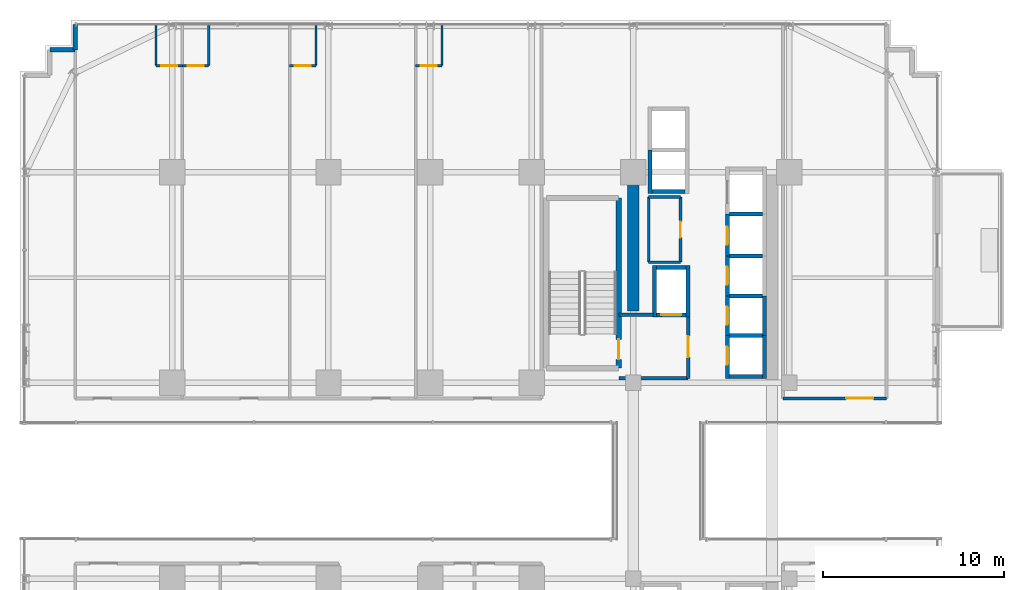
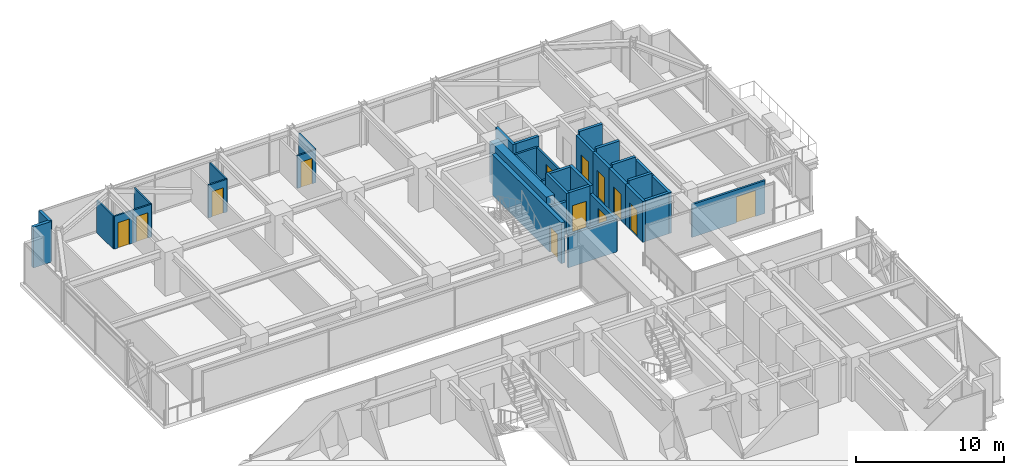
# One storey, part 37 of 43: 37 walls, 13 doors, 13 openings.
"""IFC4 building model written with IfcOpenShell, lengths in metres."""

from ifc_helpers import new_model, si_unit, direction, frame, frame_2d, origin, place, context, subcontext, project, spatial, rectangle, extrude, source, transform, mapped, material, layer, layer_set, type_object, element, fill, save


model = new_model("IFC4")

# Units and contexts
model_context = context("Model", 3, precision=1e-05, world=origin(), true_north=direction((0.0, 1.0)))
body_context = subcontext(model_context, "Body", "Model", "MODEL_VIEW")
ifc_project = project(units=[si_unit("LENGTHUNIT", "METRE"), si_unit("AREAUNIT", "SQUARE_METRE"), si_unit("VOLUMEUNIT", "CUBIC_METRE"), si_unit("PLANEANGLEUNIT", "RADIAN"), si_unit("MASSUNIT", "GRAM", prefix="KILO")], contexts=[model_context])

# Site, building, storey
site_placement = place(None, origin())
site = spatial("IfcSite", under=ifc_project, at=site_placement, CompositionType="ELEMENT")
building_placement = place(site_placement, origin())
building = spatial("IfcBuilding", under=site, at=building_placement, Name="Nahalor Promenade Grand Hotel", CompositionType="ELEMENT")
storey_placement = place(building_placement, frame((0.0, 0.0, 57.949951171875)))
storey = spatial("IfcBuildingStorey", under=building, at=storey_placement, Name="L13", CompositionType="ELEMENT", Elevation=57.949951171875)

# Wall
ifc_material_1 = material(Name="Concrete B-60 (C50/60)", Category="concrete")
ifc_layer_1 = layer(ifc_material_1, 0.64990234375)
ifc_layer_set_1 = layer_set([ifc_layer_1], Name="Concrete B-60 (C50/60)")
wall_type_1 = type_object("IfcWallType", Name="Wall-CoreShear-650", PredefinedType="SHEAR", material=ifc_layer_set_1)
shared_shape_1 = source(origin(), body_context, "Body", "SweptSolid", [
    extrude(rectangle(XDim=7.64990234375, YDim=0.64990234375, at=frame_2d((3.824951171875, 0.0))), origin(), (0.0, 0.0, 1.0), 3.3701171875),
])
wall_1_placement = place(storey_placement, frame((8.39990234375, 9.35009765625, 0.0), z_axis=(0.0, 0.0, 1.0), x_axis=(0.0, 1.0, 0.0)))
element("IfcWall", 1, at=wall_1_placement, inside=storey, type_object=wall_type_1, Name="CWALL-L13-NW", PredefinedType="SHEAR", context=body_context, shape_type="MappedRepresentation", body=[
    mapped(shared_shape_1, transform((0.0, 0.0, 0.0), scale=1.0)),
])

# Wall, opening, door
ifc_material_2 = material(Name="Concrete B-50 (C40/50)", Category="concrete")
ifc_layer_2 = layer(ifc_material_2, 0.300048828125)
ifc_layer_set_2 = layer_set([ifc_layer_2], Name="Concrete B-50 (C40/50)")
wall_type_2 = type_object("IfcWallType", Name="Wall-ShaftShear-300", PredefinedType="SHEAR", material=ifc_layer_set_2)
shared_shape_2 = source(origin(), body_context, "Body", "SweptSolid", [
    extrude(rectangle(XDim=9.380126953125, YDim=0.300048828125, at=frame_2d((4.68994140625, 0.0))), origin(), (0.0, 0.0, 1.0), 3.3701171875),
])
wall_2_placement = place(storey_placement, frame((7.590087890625, 6.2099609375, 0.0), z_axis=(0.0, 0.0, 1.0), x_axis=(0.0, 1.0, 0.0)))
wall_2 = element("IfcWall", 2, at=wall_2_placement, inside=storey, type_object=wall_type_2, Name="L13 Exit Stair ST1 Shaft Wall E", PredefinedType="SHEAR", context=body_context, shape_type="MappedRepresentation", body=[
    mapped(shared_shape_2, transform((0.0, 0.0, 0.0), scale=1.0)),
])
opening_1_placement = place(wall_2_placement, frame((0.489990234375, 0.0, 0.0)))
opening_1 = element("IfcOpeningElement", 3, at=opening_1_placement, cuts=wall_2, Name="Opening D-ST1", PredefinedType="OPENING", context=body_context, shape_type="SweptSolid", body=[
    extrude(rectangle(XDim=1.10009765625, YDim=2.14990234375, at=frame_2d((0.550048828125, 1.074951171875))), frame((0.0, 0.159912109375, 0.0), z_axis=(0.0, -1.0, 0.0), x_axis=(1.0, 0.0, 0.0)), (0.0, 0.0, 1.0), 0.320068359375),
])
ifc_material_3 = material(Name="Steel S355JR", Category="steel")
door_type_1 = type_object("IfcDoorType", Name="Door-StairFire-1100", OperationType="NOTDEFINED", PredefinedType="DOOR", material=ifc_material_3)
shared_shape_3 = source(origin(), body_context, "Body", "SweptSolid", [
    extrude(rectangle(XDim=1.10009765625, YDim=2.14990234375, at=frame_2d((0.550048828125, 1.074951171875))), frame((0.0, 0.02490234375, 0.0), z_axis=(0.0, -1.0, 0.0), x_axis=(1.0, 0.0, 0.0)), (0.0, 0.0, 1.0), 0.050048828125),
])
door_1_placement = place(opening_1_placement, origin())
door_1 = element("IfcDoor", 4, at=door_1_placement, inside=storey, type_object=door_type_1, Name="DR-STAIR-ST1-L13", OperationType="SINGLE_SWING_RIGHT", OverallHeight=2.14990234375, OverallWidth=1.10009765625, PredefinedType="DOOR", context=body_context, shape_type="MappedRepresentation", body=[
    mapped(shared_shape_3, transform((0.0, 0.0, 0.0), scale=1.0)),
])
fill(opening_1, door_1)

ifc_layer_3 = layer(ifc_material_2, 0.219970703125)
ifc_layer_set_3 = layer_set([ifc_layer_3], Name="Concrete B-50 (C40/50)")
wall_type_3 = type_object("IfcWallType", Name="Wall-LiftShaft-220", PredefinedType="SHEAR", material=ifc_layer_set_3)
shared_shape_4 = source(origin(), body_context, "Body", "SweptSolid", [
    extrude(rectangle(XDim=2.360107421875, YDim=0.219970703125, at=frame_2d((1.18017578125, 0.0))), origin(), (0.0, 0.0, 1.0), 3.3701171875),
])
wall_3_placement = place(storey_placement, frame((13.580078125, 5.639892578125, 0.0), z_axis=(0.0, 0.0, 1.0), x_axis=(0.0, 1.0, 0.0)))
wall_3 = element("IfcWall", 5, at=wall_3_placement, inside=storey, type_object=wall_type_3, Name="L13 Lift PL1 Hoistway Wall W", PredefinedType="SHEAR", context=body_context, shape_type="MappedRepresentation", body=[
    mapped(shared_shape_4, transform((0.0, 0.0, 0.0), scale=1.0)),
])
opening_2_placement = place(wall_3_placement, frame((0.760009765625, 0.0, 0.0)))
opening_2 = element("IfcOpeningElement", 6, at=opening_2_placement, cuts=wall_3, Name="Opening LD-01", PredefinedType="OPENING", context=body_context, shape_type="SweptSolid", body=[
    extrude(rectangle(XDim=1.0, YDim=2.199951171875, at=frame_2d((0.5, 1.10009765625))), frame((0.0, 0.119873046875, 0.0), z_axis=(0.0, -1.0, 0.0), x_axis=(1.0, 0.0, 0.0)), (0.0, 0.0, 1.0), 0.239990234375),
])
door_type_2 = type_object("IfcDoorType", Name="Door-LiftLanding-1000", OperationType="DOUBLE_DOOR_SLIDING", PredefinedType="DOOR", material=ifc_material_3)
shared_shape_5 = source(origin(), body_context, "Body", "SweptSolid", [
    extrude(rectangle(XDim=1.0, YDim=2.199951171875, at=frame_2d((0.5, 1.10009765625))), frame((0.0, 0.02490234375, 0.0), z_axis=(0.0, -1.0, 0.0), x_axis=(1.0, 0.0, 0.0)), (0.0, 0.0, 1.0), 0.050048828125),
])
door_2_placement = place(opening_2_placement, origin())
door_2 = element("IfcDoor", 7, at=door_2_placement, inside=storey, type_object=door_type_2, Name="DR-LIFT-PL1-L13", OperationType="DOUBLE_DOOR_SLIDING", OverallHeight=2.199951171875, OverallWidth=1.0, PredefinedType="DOOR", context=body_context, shape_type="MappedRepresentation", body=[
    mapped(shared_shape_5, transform((0.0, 0.0, 0.0), scale=1.0)),
])
fill(opening_2, door_2)

# Walls
wall_4_placement = place(storey_placement, frame((15.6201171875, 5.639892578125, 0.0), z_axis=(0.0, 0.0, 1.0), x_axis=(0.0, 1.0, 0.0)))
element("IfcWall", 8, at=wall_4_placement, inside=storey, type_object=wall_type_3, Name="L13 Lift PL1 Hoistway Wall E", PredefinedType="SHEAR", context=body_context, shape_type="MappedRepresentation", body=[
    mapped(shared_shape_4, transform((0.0, 0.0, 0.0), scale=1.0)),
])
shared_shape_6 = source(origin(), body_context, "Body", "SweptSolid", [
    extrude(rectangle(XDim=1.820068359375, YDim=0.219970703125, at=frame_2d((0.91015625, 0.0))), origin(), (0.0, 0.0, 1.0), 3.3701171875),
])
for number, where, z_axis, x_axis, name in (
    (9, (13.68994140625, 5.75, 0.0), (0.0, 0.0, 1.0), (1.0, 0.0, 0.0), "L13 Lift PL1 Hoistway Wall S"),
    (10, (9.43994140625, 15.949951171875, 0.0), (0.0, 0.0, 1.0), (1.0, 0.0, 0.0), "L13 Lift OB1 Hoistway Wall S"),
):
    element("IfcWall", number, at=place(storey_placement, frame(where, z_axis=z_axis, x_axis=x_axis)), inside=storey, type_object=wall_type_3, Name=name, PredefinedType="SHEAR", context=body_context, shape_type="MappedRepresentation", body=[
        mapped(shared_shape_6, transform((0.0, 0.0, 0.0), scale=1.0)),
    ])
shared_shape_7 = source(origin(), body_context, "Body", "SweptSolid", [
    extrude(rectangle(XDim=1.820068359375, YDim=0.219970703125, at=frame_2d((0.91015625, 0.0))), origin(), (0.0, 0.0, 1.0), 3.650146484375),
])
for number, where, z_axis, x_axis, name in (
    (11, (13.68994140625, 8.0, 0.0), (0.0, 0.0, 1.0), (1.0, 0.0, 0.0), "L13 Lift PL1 Hoistway Wall N"),
    (12, (13.68994140625, 10.199951171875, 0.0), (0.0, 0.0, 1.0), (1.0, 0.0, 0.0), "L13 Lift PL2 Hoistway Wall N"),
    (13, (13.68994140625, 12.39990234375, 0.0), (0.0, 0.0, 1.0), (1.0, 0.0, 0.0), "L13 Lift PL3 Hoistway Wall N"),
    (14, (13.68994140625, 14.699951171875, 0.0), (0.0, 0.0, 1.0), (1.0, 0.0, 0.0), "L13 Lift PL4 Hoistway Wall N"),
):
    element("IfcWall", number, at=place(storey_placement, frame(where, z_axis=z_axis, x_axis=x_axis)), inside=storey, type_object=wall_type_3, Name=name, PredefinedType="SHEAR", context=body_context, shape_type="MappedRepresentation", body=[
        mapped(shared_shape_7, transform((0.0, 0.0, 0.0), scale=1.0)),
    ])

# Wall, opening, door
shared_shape_8 = source(origin(), body_context, "Body", "SweptSolid", [
    extrude(rectangle(XDim=2.199951171875, YDim=0.219970703125, at=frame_2d((1.10009765625, 0.0))), origin(), (0.0, 0.0, 1.0), 3.3701171875),
])
wall_5_placement = place(storey_placement, frame((13.580078125, 8.0, 0.0), z_axis=(0.0, 0.0, 1.0), x_axis=(0.0, 1.0, 0.0)))
wall_5 = element("IfcWall", 15, at=wall_5_placement, inside=storey, type_object=wall_type_3, Name="L13 Lift PL2 Hoistway Wall W", PredefinedType="SHEAR", context=body_context, shape_type="MappedRepresentation", body=[
    mapped(shared_shape_8, transform((0.0, 0.0, 0.0), scale=1.0)),
])
opening_3_placement = place(wall_5_placement, frame((0.60009765625, 0.0, 0.0)))
opening_3 = element("IfcOpeningElement", 16, at=opening_3_placement, cuts=wall_5, Name="Opening LD-01", PredefinedType="OPENING", context=body_context, shape_type="SweptSolid", body=[
    extrude(rectangle(XDim=1.0, YDim=2.199951171875, at=frame_2d((0.5, 1.10009765625))), frame((0.0, 0.119873046875, 0.0), z_axis=(0.0, -1.0, 0.0), x_axis=(1.0, 0.0, 0.0)), (0.0, 0.0, 1.0), 0.239990234375),
])
door_3_placement = place(opening_3_placement, origin())
door_3 = element("IfcDoor", 17, at=door_3_placement, inside=storey, type_object=door_type_2, Name="DR-LIFT-PL2-L13", OperationType="DOUBLE_DOOR_SLIDING", OverallHeight=2.199951171875, OverallWidth=1.0, PredefinedType="DOOR", context=body_context, shape_type="MappedRepresentation", body=[
    mapped(shared_shape_5, transform((0.0, 0.0, 0.0), scale=1.0)),
])
fill(opening_3, door_3)

# Wall
wall_6_placement = place(storey_placement, frame((15.6201171875, 8.0, 0.0), z_axis=(0.0, 0.0, 1.0), x_axis=(0.0, 1.0, 0.0)))
element("IfcWall", 18, at=wall_6_placement, inside=storey, type_object=wall_type_3, Name="L13 Lift PL2 Hoistway Wall E", PredefinedType="SHEAR", context=body_context, shape_type="MappedRepresentation", body=[
    mapped(shared_shape_8, transform((0.0, 0.0, 0.0), scale=1.0)),
])

# Wall, opening, door
wall_7_placement = place(storey_placement, frame((13.580078125, 10.199951171875, 0.0), z_axis=(0.0, 0.0, 1.0), x_axis=(0.0, 1.0, 0.0)))
wall_7 = element("IfcWall", 19, at=wall_7_placement, inside=storey, type_object=wall_type_3, Name="L13 Lift PL3 Hoistway Wall W", PredefinedType="SHEAR", context=body_context, shape_type="MappedRepresentation", body=[
    mapped(shared_shape_8, transform((0.0, 0.0, 0.0), scale=1.0)),
])
opening_4_placement = place(wall_7_placement, frame((0.60009765625, 0.0, 0.0)))
opening_4 = element("IfcOpeningElement", 20, at=opening_4_placement, cuts=wall_7, Name="Opening LD-01", PredefinedType="OPENING", context=body_context, shape_type="SweptSolid", body=[
    extrude(rectangle(XDim=1.0, YDim=2.199951171875, at=frame_2d((0.5, 1.10009765625))), frame((0.0, 0.119873046875, 0.0), z_axis=(0.0, -1.0, 0.0), x_axis=(1.0, 0.0, 0.0)), (0.0, 0.0, 1.0), 0.239990234375),
])
door_4_placement = place(opening_4_placement, origin())
door_4 = element("IfcDoor", 21, at=door_4_placement, inside=storey, type_object=door_type_2, Name="DR-LIFT-PL3-L13", OperationType="DOUBLE_DOOR_SLIDING", OverallHeight=2.199951171875, OverallWidth=1.0, PredefinedType="DOOR", context=body_context, shape_type="MappedRepresentation", body=[
    mapped(shared_shape_5, transform((0.0, 0.0, 0.0), scale=1.0)),
])
fill(opening_4, door_4)

shared_shape_9 = source(origin(), body_context, "Body", "SweptSolid", [
    extrude(rectangle(XDim=2.300048828125, YDim=0.219970703125, at=frame_2d((1.14990234375, 0.0))), origin(), (0.0, 0.0, 1.0), 3.3701171875),
])
wall_8_placement = place(storey_placement, frame((13.580078125, 12.39990234375, 0.0), z_axis=(0.0, 0.0, 1.0), x_axis=(0.0, 1.0, 0.0)))
wall_8 = element("IfcWall", 22, at=wall_8_placement, inside=storey, type_object=wall_type_3, Name="L13 Lift PL4 Hoistway Wall W", PredefinedType="SHEAR", context=body_context, shape_type="MappedRepresentation", body=[
    mapped(shared_shape_9, transform((0.0, 0.0, 0.0), scale=1.0)),
])
opening_5_placement = place(wall_8_placement, frame((0.60009765625, 0.0, 0.0)))
opening_5 = element("IfcOpeningElement", 23, at=opening_5_placement, cuts=wall_8, Name="Opening LD-01", PredefinedType="OPENING", context=body_context, shape_type="SweptSolid", body=[
    extrude(rectangle(XDim=1.0, YDim=2.199951171875, at=frame_2d((0.5, 1.10009765625))), frame((0.0, 0.119873046875, 0.0), z_axis=(0.0, -1.0, 0.0), x_axis=(1.0, 0.0, 0.0)), (0.0, 0.0, 1.0), 0.239990234375),
])
door_5_placement = place(opening_5_placement, origin())
door_5 = element("IfcDoor", 24, at=door_5_placement, inside=storey, type_object=door_type_2, Name="DR-LIFT-PL4-L13", OperationType="DOUBLE_DOOR_SLIDING", OverallHeight=2.199951171875, OverallWidth=1.0, PredefinedType="DOOR", context=body_context, shape_type="MappedRepresentation", body=[
    mapped(shared_shape_5, transform((0.0, 0.0, 0.0), scale=1.0)),
])
fill(opening_5, door_5)

# Walls
shared_shape_10 = source(origin(), body_context, "Body", "SweptSolid", [
    extrude(rectangle(XDim=2.385009765625, YDim=0.219970703125, at=frame_2d((1.1923828125, 0.0))), origin(), (0.0, 0.0, 1.0), 3.3701171875),
])
wall_9_placement = place(storey_placement, frame((9.330078125, 15.840087890625, 0.0), z_axis=(0.0, 0.0, 1.0), x_axis=(0.0, 1.0, 0.0)))
element("IfcWall", 25, at=wall_9_placement, inside=storey, type_object=wall_type_3, Name="L13 Lift OB1 Hoistway Wall W", PredefinedType="SHEAR", context=body_context, shape_type="MappedRepresentation", body=[
    mapped(shared_shape_10, transform((0.0, 0.0, 0.0), scale=1.0)),
])
shared_shape_11 = source(origin(), body_context, "Body", "SweptSolid", [
    extrude(rectangle(XDim=2.820068359375, YDim=0.219970703125, at=frame_2d((1.41015625, 0.0))), origin(), (0.0, 0.0, 1.0), 3.3701171875),
])
for number, where, z_axis, x_axis, name in (
    (26, (9.580078125, 9.0400390625, 0.0), (0.0, 0.0, 1.0), (0.0, 1.0, 0.0), "L13 Lift FL1 Hoistway Wall W"),
    (27, (11.419921875, 9.0400390625, 0.0), (0.0, 0.0, 1.0), (0.0, 1.0, 0.0), "L13 Lift FL1 Hoistway Wall E"),
):
    element("IfcWall", number, at=place(storey_placement, frame(where, z_axis=z_axis, x_axis=x_axis)), inside=storey, type_object=wall_type_3, Name=name, PredefinedType="SHEAR", context=body_context, shape_type="MappedRepresentation", body=[
        mapped(shared_shape_11, transform((0.0, 0.0, 0.0), scale=1.0)),
    ])

# Wall, opening, door
shared_shape_12 = source(origin(), body_context, "Body", "SweptSolid", [
    extrude(rectangle(XDim=1.6201171875, YDim=0.219970703125, at=frame_2d((0.81005859375, 0.0))), origin(), (0.0, 0.0, 1.0), 3.3701171875),
])
wall_10_placement = place(storey_placement, frame((9.68994140625, 9.14990234375, 0.0), z_axis=(0.0, 0.0, 1.0), x_axis=(1.0, 0.0, 0.0)))
wall_10 = element("IfcWall", 28, at=wall_10_placement, inside=storey, type_object=wall_type_3, Name="L13 Lift FL1 Hoistway Wall S", PredefinedType="SHEAR", context=body_context, shape_type="MappedRepresentation", body=[
    mapped(shared_shape_12, transform((0.0, 0.0, 0.0), scale=1.0)),
])
opening_6_placement = place(wall_10_placement, frame((0.260009765625, 0.0, 0.0)))
opening_6 = element("IfcOpeningElement", 29, at=opening_6_placement, cuts=wall_10, Name="Opening LD-02", PredefinedType="OPENING", context=body_context, shape_type="SweptSolid", body=[
    extrude(rectangle(XDim=1.10009765625, YDim=2.199951171875, at=frame_2d((0.550048828125, 1.10009765625))), frame((0.0, 0.119873046875, 0.0), z_axis=(0.0, -1.0, 0.0), x_axis=(1.0, 0.0, 0.0)), (0.0, 0.0, 1.0), 0.239990234375),
])
door_type_3 = type_object("IfcDoorType", Name="Door-LiftFF-1100", OperationType="DOUBLE_DOOR_SLIDING", PredefinedType="DOOR", material=ifc_material_3)
shared_shape_13 = source(origin(), body_context, "Body", "SweptSolid", [
    extrude(rectangle(XDim=1.10009765625, YDim=2.199951171875, at=frame_2d((0.550048828125, 1.10009765625))), frame((0.0, 0.02490234375, 0.0), z_axis=(0.0, -1.0, 0.0), x_axis=(1.0, 0.0, 0.0)), (0.0, 0.0, 1.0), 0.050048828125),
])
door_6_placement = place(opening_6_placement, frame((1.10009765625, 0.0, 0.0), z_axis=(0.0, 0.0, 1.0), x_axis=(-1.0, 0.0, 0.0)))
door_6 = element("IfcDoor", 30, at=door_6_placement, inside=storey, type_object=door_type_3, Name="DR-LIFT-FL1-L13", OperationType="DOUBLE_DOOR_SLIDING", OverallHeight=2.199951171875, OverallWidth=1.10009765625, PredefinedType="DOOR", context=body_context, shape_type="MappedRepresentation", body=[
    mapped(shared_shape_13, transform((0.0, 0.0, 0.0), scale=1.0)),
])
fill(opening_6, door_6)

# Walls
wall_11_placement = place(storey_placement, frame((9.68994140625, 11.75, 0.0), z_axis=(0.0, 0.0, 1.0), x_axis=(1.0, 0.0, 0.0)))
element("IfcWall", 31, at=wall_11_placement, inside=storey, type_object=wall_type_3, Name="L13 Lift FL1 Hoistway Wall N", PredefinedType="SHEAR", context=body_context, shape_type="MappedRepresentation", body=[
    mapped(shared_shape_12, transform((0.0, 0.0, 0.0), scale=1.0)),
])
ifc_material_4 = material(Name="Concrete B-40 (C32/40)", Category="concrete")
ifc_layer_4 = layer(ifc_material_4, 0.25)
ifc_layer_set_4 = layer_set([ifc_layer_4], Name="Concrete B-40 (C32/40)")
wall_type_4 = type_object("IfcWallType", Name="Wall-BronzePier-250", PredefinedType="STANDARD", material=ifc_layer_set_4)
shared_shape_14 = source(origin(), body_context, "Body", "SweptSolid", [
    extrude(rectangle(XDim=1.39990234375, YDim=0.25, at=frame_2d((0.699951171875, 0.0))), origin(), (0.0, 0.0, 1.0), 3.3701171875),
])
for number, where, z_axis, x_axis, name in (
    (32, (-22.360107421875, 23.760009765625, 0.0), (0.0, 0.0, 1.0), (0.0, 1.0, 0.0), "W-L13-SR-09"),
    (33, (-23.760009765625, 23.760009765625, 0.0), (0.0, 0.0, 1.0), (1.0, 0.0, 0.0), "W-L13-SR-10"),
):
    element("IfcWall", number, at=place(storey_placement, frame(where, z_axis=z_axis, x_axis=x_axis)), inside=storey, type_object=wall_type_4, Name=name, PredefinedType="STANDARD", context=body_context, shape_type="MappedRepresentation", body=[
        mapped(shared_shape_14, transform((0.0, 0.0, 0.0), scale=1.0)),
    ])
ifc_layer_5 = layer(ifc_material_4, 0.199951171875)
ifc_layer_set_5 = layer_set([ifc_layer_5], Name="Concrete B-40 (C32/40)")
wall_type_5 = type_object("IfcWallType", Name="Wall-PartFire-200", PredefinedType="PARTITIONING", material=ifc_layer_set_5)
shared_shape_15 = source(origin(), body_context, "Body", "SweptSolid", [
    extrude(rectangle(XDim=3.81982421875, YDim=0.199951171875, at=frame_2d((1.909912109375, 0.0))), origin(), (0.0, 0.0, 1.0), 2.7099609375),
])
wall_12_placement = place(storey_placement, frame((7.60009765625, 5.64990234375, 0.0), z_axis=(0.0, 0.0, 1.0), x_axis=(1.0, 0.0, 0.0)))
element("IfcWall", 34, at=wall_12_placement, inside=storey, type_object=wall_type_5, Name="W-L13-FF1-S", PredefinedType="PARTITIONING", context=body_context, shape_type="MappedRepresentation", body=[
    mapped(shared_shape_15, transform((0.0, 0.0, 0.0), scale=1.0)),
])
shared_shape_16 = source(origin(), body_context, "Body", "SweptSolid", [
    extrude(rectangle(XDim=1.89990234375, YDim=0.199951171875, at=frame_2d((0.949951171875, 0.0))), origin(), (0.0, 0.0, 1.0), 2.7099609375),
])
wall_13_placement = place(storey_placement, frame((7.60009765625, 9.14990234375, 0.0), z_axis=(0.0, 0.0, 1.0), x_axis=(1.0, 0.0, 0.0)))
element("IfcWall", 35, at=wall_13_placement, inside=storey, type_object=wall_type_5, Name="W-L13-FF1-N", PredefinedType="PARTITIONING", context=body_context, shape_type="MappedRepresentation", body=[
    mapped(shared_shape_16, transform((0.0, 0.0, 0.0), scale=1.0)),
])

# Wall, opening, door
shared_shape_17 = source(origin(), body_context, "Body", "SweptSolid", [
    extrude(rectangle(XDim=3.5, YDim=0.199951171875, at=frame_2d((1.75, 0.0))), origin(), (0.0, 0.0, 1.0), 2.7099609375),
])
wall_14_placement = place(storey_placement, frame((11.419921875, 5.64990234375, 0.0), z_axis=(0.0, 0.0, 1.0), x_axis=(0.0, 1.0, 0.0)))
wall_14 = element("IfcWall", 36, at=wall_14_placement, inside=storey, type_object=wall_type_5, Name="W-L13-FF1-E", PredefinedType="PARTITIONING", context=body_context, shape_type="MappedRepresentation", body=[
    mapped(shared_shape_17, transform((0.0, 0.0, 0.0), scale=1.0)),
])
opening_7_placement = place(wall_14_placement, frame((1.175048828125, 0.0, 0.0)))
opening_7 = element("IfcOpeningElement", 37, at=opening_7_placement, cuts=wall_14, Name="Opening D-FF1", PredefinedType="OPENING", context=body_context, shape_type="SweptSolid", body=[
    extrude(rectangle(XDim=1.14990234375, YDim=2.14990234375, at=frame_2d((0.574951171875, 1.074951171875))), frame((0.0, 0.10986328125, 0.0), z_axis=(0.0, -1.0, 0.0), x_axis=(1.0, 0.0, 0.0)), (0.0, 0.0, 1.0), 0.219970703125),
])
door_type_4 = type_object("IfcDoorType", Name="Door-FFLobby-1150", OperationType="NOTDEFINED", PredefinedType="DOOR", material=ifc_material_3)
shared_shape_18 = source(origin(), body_context, "Body", "SweptSolid", [
    extrude(rectangle(XDim=1.14990234375, YDim=2.14990234375, at=frame_2d((0.574951171875, 1.074951171875))), frame((0.0, 0.02490234375, 0.0), z_axis=(0.0, -1.0, 0.0), x_axis=(1.0, 0.0, 0.0)), (0.0, 0.0, 1.0), 0.050048828125),
])
door_7_placement = place(opening_7_placement, frame((1.14990234375, 0.0, 0.0), z_axis=(0.0, 0.0, 1.0), x_axis=(-1.0, 0.0, 0.0)))
door_7 = element("IfcDoor", 38, at=door_7_placement, inside=storey, type_object=door_type_4, Name="DR-L13-FFL1", OperationType="SINGLE_SWING_RIGHT", OverallHeight=2.14990234375, OverallWidth=1.14990234375, PredefinedType="DOOR", context=body_context, shape_type="MappedRepresentation", body=[
    mapped(shared_shape_18, transform((0.0, 0.0, 0.0), scale=1.0)),
])
fill(opening_7, door_7)

# Walls
ifc_material_5 = material(Name="Acoustic Mineral Gypsum", Category="gypsum")
ifc_layer_6 = layer(ifc_material_5, 0.14990234375)
ifc_layer_set_6 = layer_set([ifc_layer_6], Name="Acoustic Mineral Gypsum")
wall_type_6 = type_object("IfcWallType", Name="Wall-PartService-150", PredefinedType="PARTITIONING", material=ifc_layer_set_6)
shared_shape_19 = source(origin(), body_context, "Body", "SweptSolid", [
    extrude(rectangle(XDim=1.75, YDim=0.14990234375, at=frame_2d((0.875, 0.0))), origin(), (0.0, 0.0, 1.0), 2.7099609375),
])
for number, where, z_axis, x_axis, name in (
    (39, (9.25, 12.050048828125, 0.0), (0.0, 0.0, 1.0), (1.0, 0.0, 0.0), "W-L13-CK1A-S"),
    (40, (9.25, 15.64990234375, 0.0), (0.0, 0.0, 1.0), (1.0, 0.0, 0.0), "W-L13-CK1A-N"),
):
    element("IfcWall", number, at=place(storey_placement, frame(where, z_axis=z_axis, x_axis=x_axis)), inside=storey, type_object=wall_type_6, Name=name, PredefinedType="PARTITIONING", context=body_context, shape_type="MappedRepresentation", body=[
        mapped(shared_shape_19, transform((0.0, 0.0, 0.0), scale=1.0)),
    ])
shared_shape_20 = source(origin(), body_context, "Body", "SweptSolid", [
    extrude(rectangle(XDim=3.599853515625, YDim=0.14990234375, at=frame_2d((1.7998046875, 0.0))), origin(), (0.0, 0.0, 1.0), 2.7099609375),
])
wall_15_placement = place(storey_placement, frame((9.25, 12.050048828125, 0.0), z_axis=(0.0, 0.0, 1.0), x_axis=(0.0, 1.0, 0.0)))
element("IfcWall", 41, at=wall_15_placement, inside=storey, type_object=wall_type_6, Name="W-L13-CK1A-W", PredefinedType="PARTITIONING", context=body_context, shape_type="MappedRepresentation", body=[
    mapped(shared_shape_20, transform((0.0, 0.0, 0.0), scale=1.0)),
])

# Wall, opening, door
wall_16_placement = place(storey_placement, frame((11.0, 12.050048828125, 0.0), z_axis=(0.0, 0.0, 1.0), x_axis=(0.0, 1.0, 0.0)))
wall_16 = element("IfcWall", 42, at=wall_16_placement, inside=storey, type_object=wall_type_6, Name="W-L13-CK1A-E", PredefinedType="PARTITIONING", context=body_context, shape_type="MappedRepresentation", body=[
    mapped(shared_shape_20, transform((0.0, 0.0, 0.0), scale=1.0)),
])
opening_8_placement = place(wall_16_placement, frame((1.360107421875, 0.0, 0.0)))
opening_8 = element("IfcOpeningElement", 43, at=opening_8_placement, cuts=wall_16, Name="Opening D-03", PredefinedType="OPENING", context=body_context, shape_type="SweptSolid", body=[
    extrude(rectangle(XDim=0.8798828125, YDim=2.10009765625, at=frame_2d((0.43994140625, 1.050048828125))), frame((0.0, 0.0849609375, 0.0), z_axis=(0.0, -1.0, 0.0), x_axis=(1.0, 0.0, 0.0)), (0.0, 0.0, 1.0), 0.169921875),
])
ifc_material_6 = material(Name="Fire-Rated Timber Composite", Category="wood")
door_type_5 = type_object("IfcDoorType", Name="Door-BathSwing-880", OperationType="NOTDEFINED", PredefinedType="DOOR", material=ifc_material_6)
shared_shape_21 = source(origin(), body_context, "Body", "SweptSolid", [
    extrude(rectangle(XDim=0.8798828125, YDim=2.10009765625, at=frame_2d((0.43994140625, 1.050048828125))), frame((0.0, 0.02490234375, 0.0), z_axis=(0.0, -1.0, 0.0), x_axis=(1.0, 0.0, 0.0)), (0.0, 0.0, 1.0), 0.050048828125),
])
door_8_placement = place(opening_8_placement, origin())
door_8 = element("IfcDoor", 44, at=door_8_placement, inside=storey, type_object=door_type_5, Name="DR-L13-CK1A", OperationType="SINGLE_SWING_RIGHT", OverallHeight=2.10009765625, OverallWidth=0.8798828125, PredefinedType="DOOR", context=body_context, shape_type="MappedRepresentation", body=[
    mapped(shared_shape_21, transform((0.0, 0.0, 0.0), scale=1.0)),
])
fill(opening_8, door_8)

ifc_layer_7 = layer(ifc_material_5, 0.159912109375)
ifc_layer_set_7 = layer_set([ifc_layer_7], Name="Acoustic Mineral Gypsum")
wall_type_7 = type_object("IfcWallType", Name="Wall-PartCorridor-160", PredefinedType="PARTITIONING", material=ifc_layer_set_7)
shared_shape_22 = source(origin(), body_context, "Body", "SweptSolid", [
    extrude(rectangle(XDim=5.710205078125, YDim=0.159912109375, at=frame_2d((2.85498046875, 0.0))), origin(), (0.0, 0.0, 1.0), 2.7099609375),
])
wall_17_placement = place(storey_placement, frame((16.64990234375, 4.550048828125, 0.0), z_axis=(0.0, 0.0, 1.0), x_axis=(1.0, 0.0, 0.0)))
wall_17 = element("IfcWall", 45, at=wall_17_placement, inside=storey, type_object=wall_type_7, Name="W-L13-ENE-S", PredefinedType="PARTITIONING", context=body_context, shape_type="MappedRepresentation", body=[
    mapped(shared_shape_22, transform((0.0, 0.0, 0.0), scale=1.0)),
])
opening_9_placement = place(wall_17_placement, frame((3.47900390625, 0.0, 0.0)))
opening_9 = element("IfcOpeningElement", 46, at=opening_9_placement, cuts=wall_17, Name="Opening D-02", PredefinedType="OPENING", context=body_context, shape_type="SweptSolid", body=[
    extrude(rectangle(XDim=1.5, YDim=2.14990234375, at=frame_2d((0.75, 1.074951171875))), frame((0.0, 0.08984375, 0.0), z_axis=(0.0, -1.0, 0.0), x_axis=(1.0, 0.0, 0.0)), (0.0, 0.0, 1.0), 0.179931640625),
])
door_type_6 = type_object("IfcDoorType", Name="Door-SuiteDouble-1500", OperationType="DOUBLE_DOOR_SINGLE_SWING", PredefinedType="DOOR", material=ifc_material_6)
shared_shape_23 = source(origin(), body_context, "Body", "SweptSolid", [
    extrude(rectangle(XDim=1.5, YDim=2.14990234375, at=frame_2d((0.75, 1.074951171875))), frame((0.0, 0.02490234375, 0.0), z_axis=(0.0, -1.0, 0.0), x_axis=(1.0, 0.0, 0.0)), (0.0, 0.0, 1.0), 0.050048828125),
])
door_9_placement = place(opening_9_placement, origin())
door_9 = element("IfcDoor", 47, at=door_9_placement, inside=storey, type_object=door_type_6, Name="DR-L13-ENE", OperationType="DOUBLE_DOOR_SINGLE_SWING", OverallHeight=2.14990234375, OverallWidth=1.5, PredefinedType="DOOR", context=body_context, shape_type="MappedRepresentation", body=[
    mapped(shared_shape_23, transform((0.0, 0.0, 0.0), scale=1.0)),
])
fill(opening_9, door_9)

ifc_layer_8 = layer(ifc_material_5, 0.1201171875)
ifc_layer_set_8 = layer_set([ifc_layer_8], Name="Acoustic Mineral Gypsum")
wall_type_8 = type_object("IfcWallType", Name="Wall-PartBath-120", PredefinedType="PARTITIONING", material=ifc_layer_set_8)
shared_shape_24 = source(origin(), body_context, "Body", "SweptSolid", [
    extrude(rectangle(XDim=1.4501953125, YDim=0.1201171875, at=frame_2d((0.72509765625, 0.0))), origin(), (0.0, 0.0, 1.0), 2.7099609375),
])
wall_18_placement = place(storey_placement, frame((-10.5380859375, 22.8798828125, 0.0), z_axis=(0.0, 0.0, 1.0), x_axis=(1.0, 0.0, 0.0)))
wall_18 = element("IfcWall", 48, at=wall_18_placement, inside=storey, type_object=wall_type_8, Name="W-L13-N3-BH", PredefinedType="PARTITIONING", context=body_context, shape_type="MappedRepresentation", body=[
    mapped(shared_shape_24, transform((0.0, 0.0, 0.0), scale=1.0)),
])
opening_10_placement = place(wall_18_placement, frame((0.284912109375, 0.0, 0.0)))
opening_10 = element("IfcOpeningElement", 49, at=opening_10_placement, cuts=wall_18, Name="Opening D-03", PredefinedType="OPENING", context=body_context, shape_type="SweptSolid", body=[
    extrude(rectangle(XDim=0.8798828125, YDim=2.10009765625, at=frame_2d((0.43994140625, 1.050048828125))), frame((0.0, 0.070068359375, 0.0), z_axis=(0.0, -1.0, 0.0), x_axis=(1.0, 0.0, 0.0)), (0.0, 0.0, 1.0), 0.14013671875),
])
door_10_placement = place(opening_10_placement, origin())
door_10 = element("IfcDoor", 50, at=door_10_placement, inside=storey, type_object=door_type_5, Name="DR-L13-N3-BATH", OperationType="SINGLE_SWING_LEFT", OverallHeight=2.10009765625, OverallWidth=0.8798828125, PredefinedType="DOOR", context=body_context, shape_type="MappedRepresentation", body=[
    mapped(shared_shape_21, transform((0.0, 0.0, 0.0), scale=1.0)),
])
fill(opening_10, door_10)

wall_19_placement = place(storey_placement, frame((-3.59912109375, 22.8798828125, 0.0), z_axis=(0.0, 0.0, 1.0), x_axis=(1.0, 0.0, 0.0)))
wall_19 = element("IfcWall", 51, at=wall_19_placement, inside=storey, type_object=wall_type_8, Name="W-L13-N4-BH", PredefinedType="PARTITIONING", context=body_context, shape_type="MappedRepresentation", body=[
    mapped(shared_shape_24, transform((0.0, 0.0, 0.0), scale=1.0)),
])
opening_11_placement = place(wall_19_placement, frame((0.284912109375, 0.0, 0.0)))
opening_11 = element("IfcOpeningElement", 52, at=opening_11_placement, cuts=wall_19, Name="Opening D-03", PredefinedType="OPENING", context=body_context, shape_type="SweptSolid", body=[
    extrude(rectangle(XDim=0.8798828125, YDim=2.10009765625, at=frame_2d((0.43994140625, 1.050048828125))), frame((0.0, 0.070068359375, 0.0), z_axis=(0.0, -1.0, 0.0), x_axis=(1.0, 0.0, 0.0)), (0.0, 0.0, 1.0), 0.14013671875),
])
door_11_placement = place(opening_11_placement, origin())
door_11 = element("IfcDoor", 53, at=door_11_placement, inside=storey, type_object=door_type_5, Name="DR-L13-N4-BATH", OperationType="SINGLE_SWING_LEFT", OverallHeight=2.10009765625, OverallWidth=0.8798828125, PredefinedType="DOOR", context=body_context, shape_type="MappedRepresentation", body=[
    mapped(shared_shape_21, transform((0.0, 0.0, 0.0), scale=1.0)),
])
fill(opening_11, door_11)

# Walls
shared_shape_25 = source(origin(), body_context, "Body", "SweptSolid", [
    extrude(rectangle(XDim=2.22021484375, YDim=0.1201171875, at=frame_2d((1.110107421875, 0.0))), origin(), (0.0, 0.0, 1.0), 2.7099609375),
])
for number, where, z_axis, x_axis, name in (
    (54, (-17.89892578125, 22.8798828125, 0.0), (0.0, 0.0, 1.0), (0.0, 1.0, 0.0), "W-L13-N1-BV"),
    (55, (-14.9990234375, 22.8798828125, 0.0), (0.0, 0.0, 1.0), (0.0, 1.0, 0.0), "W-L13-N2-BV"),
    (56, (-9.087890625, 22.8798828125, 0.0), (0.0, 0.0, 1.0), (0.0, 1.0, 0.0), "W-L13-N3-BV"),
    (57, (-2.14892578125, 22.8798828125, 0.0), (0.0, 0.0, 1.0), (0.0, 1.0, 0.0), "W-L13-N4-BV"),
):
    element("IfcWall", number, at=place(storey_placement, frame(where, z_axis=z_axis, x_axis=x_axis)), inside=storey, type_object=wall_type_8, Name=name, PredefinedType="PARTITIONING", context=body_context, shape_type="MappedRepresentation", body=[
        mapped(shared_shape_25, transform((0.0, 0.0, 0.0), scale=1.0)),
    ])

# Wall, opening, door
shared_shape_26 = source(origin(), body_context, "Body", "SweptSolid", [
    extrude(rectangle(XDim=1.449951171875, YDim=0.1201171875, at=frame_2d((0.72509765625, 0.0))), origin(), (0.0, 0.0, 1.0), 2.7099609375),
])
wall_20_placement = place(storey_placement, frame((-17.89892578125, 22.8798828125, 0.0), z_axis=(0.0, 0.0, 1.0), x_axis=(1.0, 0.0, 0.0)))
wall_20 = element("IfcWall", 58, at=wall_20_placement, inside=storey, type_object=wall_type_8, Name="W-L13-N1-BH", PredefinedType="PARTITIONING", context=body_context, shape_type="MappedRepresentation", body=[
    mapped(shared_shape_26, transform((0.0, 0.0, 0.0), scale=1.0)),
])
opening_12_placement = place(wall_20_placement, frame((0.284912109375, 0.0, 0.0)))
opening_12 = element("IfcOpeningElement", 59, at=opening_12_placement, cuts=wall_20, Name="Opening D-03", PredefinedType="OPENING", context=body_context, shape_type="SweptSolid", body=[
    extrude(rectangle(XDim=0.8798828125, YDim=2.10009765625, at=frame_2d((0.43994140625, 1.050048828125))), frame((0.0, 0.070068359375, 0.0), z_axis=(0.0, -1.0, 0.0), x_axis=(1.0, 0.0, 0.0)), (0.0, 0.0, 1.0), 0.14013671875),
])
door_12_placement = place(opening_12_placement, origin())
door_12 = element("IfcDoor", 60, at=door_12_placement, inside=storey, type_object=door_type_5, Name="DR-L13-N1-BATH", OperationType="SINGLE_SWING_LEFT", OverallHeight=2.10009765625, OverallWidth=0.8798828125, PredefinedType="DOOR", context=body_context, shape_type="MappedRepresentation", body=[
    mapped(shared_shape_21, transform((0.0, 0.0, 0.0), scale=1.0)),
])
fill(opening_12, door_12)

wall_21_placement = place(storey_placement, frame((-16.448974609375, 22.8798828125, 0.0), z_axis=(0.0, 0.0, 1.0), x_axis=(1.0, 0.0, 0.0)))
wall_21 = element("IfcWall", 61, at=wall_21_placement, inside=storey, type_object=wall_type_8, Name="W-L13-N2-BH", PredefinedType="PARTITIONING", context=body_context, shape_type="MappedRepresentation", body=[
    mapped(shared_shape_26, transform((0.0, 0.0, 0.0), scale=1.0)),
])
opening_13_placement = place(wall_21_placement, frame((0.284912109375, 0.0, 0.0)))
opening_13 = element("IfcOpeningElement", 62, at=opening_13_placement, cuts=wall_21, Name="Opening D-03", PredefinedType="OPENING", context=body_context, shape_type="SweptSolid", body=[
    extrude(rectangle(XDim=0.8798828125, YDim=2.10009765625, at=frame_2d((0.43994140625, 1.050048828125))), frame((0.0, 0.070068359375, 0.0), z_axis=(0.0, -1.0, 0.0), x_axis=(1.0, 0.0, 0.0)), (0.0, 0.0, 1.0), 0.14013671875),
])
door_13_placement = place(opening_13_placement, origin())
door_13 = element("IfcDoor", 63, at=door_13_placement, inside=storey, type_object=door_type_5, Name="DR-L13-N2-BATH", OperationType="SINGLE_SWING_LEFT", OverallHeight=2.10009765625, OverallWidth=0.8798828125, PredefinedType="DOOR", context=body_context, shape_type="MappedRepresentation", body=[
    mapped(shared_shape_21, transform((0.0, 0.0, 0.0), scale=1.0)),
])
fill(opening_13, door_13)

save(model, "model.ifc")
